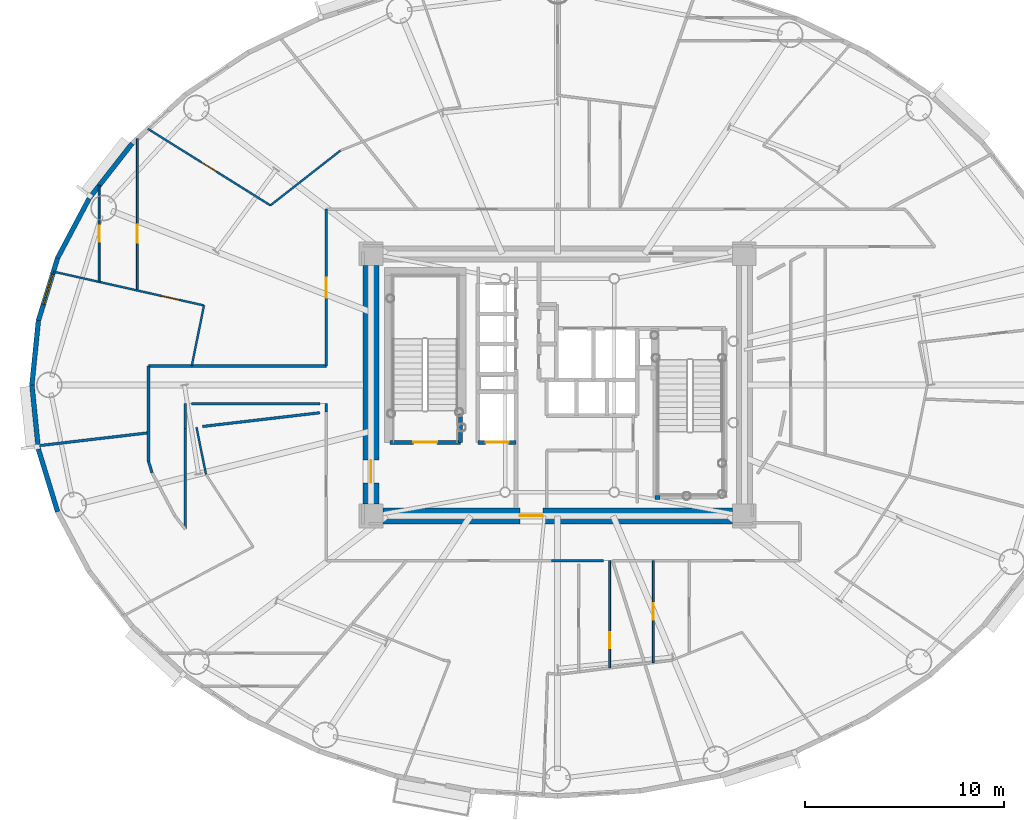
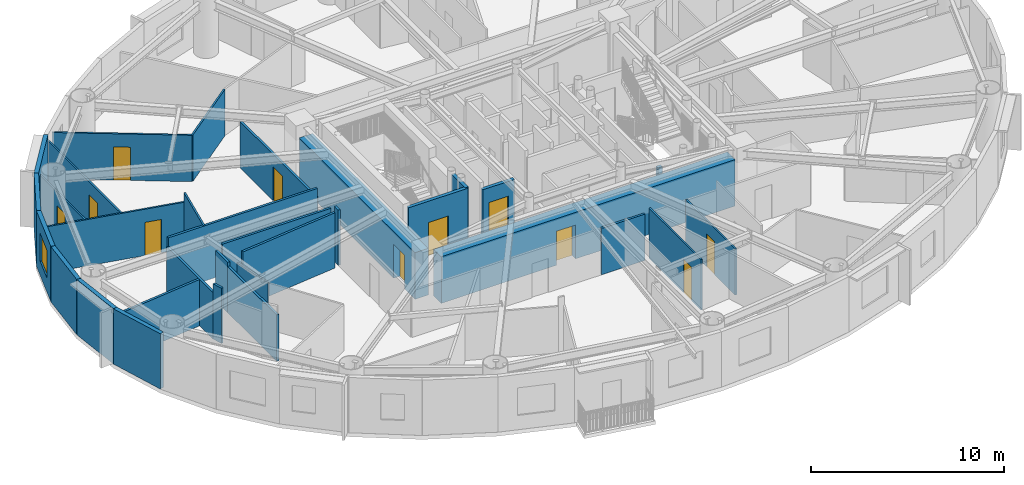
# One storey, part 9 of 19: 32 walls, 11 doors, 1 window, 12 openings.
"""IFC4 building model written with IfcOpenShell, lengths in metres."""

from ifc_helpers import new_model, si_unit, direction, frame, frame_2d, origin, origin_2d, place, context, subcontext, project, spatial, rectangle, extrude, source, transform, mapped, material, layer, layer_set, type_object, element, fill, save


model = new_model("IFC4")

# Units and contexts
model_context = context("Model", 3, precision=1e-05, world=origin(), true_north=direction((0.0, 1.0)))
body_context = subcontext(model_context, "Body", "Model", "MODEL_VIEW")
ifc_project = project(units=[si_unit("LENGTHUNIT", "METRE"), si_unit("AREAUNIT", "SQUARE_METRE"), si_unit("VOLUMEUNIT", "CUBIC_METRE"), si_unit("PLANEANGLEUNIT", "RADIAN"), si_unit("MASSUNIT", "GRAM", prefix="KILO")], contexts=[model_context])

# Site, building, storey
site_placement = place(None, origin())
site = spatial("IfcSite", under=ifc_project, at=site_placement, CompositionType="ELEMENT")
building_placement = place(site_placement, origin())
building = spatial("IfcBuilding", under=site, at=building_placement, Name="Linh Dai School and Residence Tower", CompositionType="ELEMENT")
storey_placement = place(building_placement, frame((0.0, 0.0, 174.89990234375)))
storey = spatial("IfcBuildingStorey", under=building, at=storey_placement, Name="L42", CompositionType="ELEMENT", Elevation=174.89990234375)

# Walls
ifc_material_1 = material(Name="Precast Concrete B45 (C35/45)", Category="concrete")
ifc_layer_1 = layer(ifc_material_1, 0.239990234375)
ifc_layer_set_1 = layer_set([ifc_layer_1], Name="Precast Concrete B45 (C35/45)")
wall_type_1 = type_object("IfcWallType", Name="EW-TC-240", PredefinedType="SOLIDWALL", material=ifc_layer_set_1)
wall_1_placement = place(storey_placement, frame((12.404052734375, 36.388427734375, 0.0), z_axis=(0.0, 0.0, 1.0), x_axis=(0.616287674549, 0.787521112224, 0.0)))
element("IfcWall", 1, at=wall_1_placement, inside=storey, type_object=wall_type_1, Name="L42 Terracotta Exterior Wall 17", PredefinedType="SOLIDWALL", context=body_context, shape_type="SweptSolid", body=[
    extrude(rectangle(XDim=3.517333984375, YDim=0.239990234375, at=frame_2d((1.7587890625, 0.0))), origin(), (0.0, 0.0, 1.0), 3.5),
])
wall_2_placement = place(storey_placement, frame((10.8173828125, 33.388916015625, 0.0), z_axis=(0.0, 0.0, 1.0), x_axis=(0.467586874938, 0.88394712194, 0.0)))
element("IfcWall", 2, at=wall_2_placement, inside=storey, type_object=wall_type_1, Name="L42 Terracotta Exterior Wall 18", PredefinedType="SOLIDWALL", context=body_context, shape_type="SweptSolid", body=[
    extrude(rectangle(XDim=3.393310546875, YDim=0.239990234375, at=frame_2d((1.69677734375, 0.0))), origin(), (0.0, 0.0, 1.0), 3.5),
])

# Wall, opening, window
wall_3_placement = place(storey_placement, frame((9.85009765625, 30.233642578125, 0.0), z_axis=(0.0, 0.0, 1.0), x_axis=(0.293097995113, 0.956082405058, 0.0)))
wall_3 = element("IfcWall", 3, at=wall_3_placement, inside=storey, type_object=wall_type_1, Name="L42 Terracotta Exterior Wall 19", PredefinedType="SOLIDWALL", context=body_context, shape_type="SweptSolid", body=[
    extrude(rectangle(XDim=3.30029296875, YDim=0.239990234375, at=frame_2d((1.650146484375, 0.0))), origin(), (0.0, 0.0, 1.0), 3.5),
])
opening_1_placement = place(wall_3_placement, frame((0.85009765625, 0.0, 0.89990234375)))
opening_1 = element("IfcOpeningElement", 4, at=opening_1_placement, cuts=wall_3, Name="Opening W2", PredefinedType="OPENING", context=body_context, shape_type="SweptSolid", body=[
    extrude(rectangle(XDim=1.60009765625, YDim=1.75, at=origin_2d()), frame((0.800048828125, 0.1298828125, 0.875), z_axis=(0.0, -1.0, 0.0), x_axis=(1.0, 0.0, 0.0)), (0.0, 0.0, 1.0), 0.260009765625),
])
ifc_material_2 = material(Name="Double Low-E Insulated Glazing", Category="glass")
window_type = type_object("IfcWindowType", Name="WN-RES-1600x1750", PartitioningType="DOUBLE_PANEL_VERTICAL", PredefinedType="WINDOW", material=ifc_material_2)
shared_shape_1 = source(origin(), body_context, "Body", "SweptSolid", [
    extrude(rectangle(XDim=1.60009765625, YDim=1.75, at=origin_2d()), frame((0.800048828125, 0.030029296875, 0.875), z_axis=(0.0, -1.0, 0.0), x_axis=(1.0, 0.0, 0.0)), (0.0, 0.0, 1.0), 0.06005859375),
])
window_placement = place(opening_1_placement, origin())
window = element("IfcWindow", 5, at=window_placement, inside=storey, type_object=window_type, Name="L42 Exterior Window 19.1", OverallHeight=1.75, OverallWidth=1.60009765625, PartitioningType="DOUBLE_PANEL_VERTICAL", PredefinedType="WINDOW", context=body_context, shape_type="MappedRepresentation", body=[
    mapped(shared_shape_1, transform((0.0, 0.0, 0.0), x_axis=(1.0, 0.0, 0.0), y_axis=(0.0, 1.0, 0.0), z_axis=(0.0, 0.0, 1.0), scale=1.0)),
])
fill(opening_1, window)

# Walls
for number, where, z_axis, x_axis, name in (
    (6, (9.52490234375, 27.0, 0.0), (0.0, 0.0, 1.0), (0.100061534614, 0.994981250723, 0.0), "L42 Terracotta Exterior Wall 20"),
    (7, (9.85009765625, 23.766357421875, 0.0), (0.0, 0.0, 1.0), (-0.100061534614, 0.994981250723, 0.0), "L42 Terracotta Exterior Wall 21"),
):
    element("IfcWall", number, at=place(storey_placement, frame(where, z_axis=z_axis, x_axis=x_axis)), inside=storey, type_object=wall_type_1, Name=name, PredefinedType="SOLIDWALL", context=body_context, shape_type="SweptSolid", body=[
        extrude(rectangle(XDim=3.25, YDim=0.239990234375, at=frame_2d((1.625, 0.0))), origin(), (0.0, 0.0, 1.0), 3.5),
    ])
wall_4_placement = place(storey_placement, frame((10.8173828125, 20.611083984375, 0.0), z_axis=(0.0, 0.0, 1.0), x_axis=(-0.293097995113, 0.956082405058, 0.0)))
element("IfcWall", 8, at=wall_4_placement, inside=storey, type_object=wall_type_1, Name="L42 Terracotta Exterior Wall 22", PredefinedType="SOLIDWALL", context=body_context, shape_type="SweptSolid", body=[
    extrude(rectangle(XDim=3.30029296875, YDim=0.239990234375, at=frame_2d((1.650146484375, 0.0))), origin(), (0.0, 0.0, 1.0), 3.5),
])
ifc_material_3 = material(Name="Autoclaved Aerated Concrete Blockwork", Category="masonry")
ifc_layer_2 = layer(ifc_material_3, 0.135009765625)
ifc_layer_set_2 = layer_set([ifc_layer_2], Name="Autoclaved Aerated Concrete Blockwork")
wall_type_2 = type_object("IfcWallType", Name="IW-CORR-135-EI90", PredefinedType="PARTITIONING", material=ifc_layer_set_2)
wall_5_placement = place(storey_placement, frame((9.828369140625, 23.932861328125, 0.0), z_axis=(0.0, 0.0, 1.0), x_axis=(0.993205157511, 0.116376608877, 0.0)))
element("IfcWall", 9, at=wall_5_placement, inside=storey, type_object=wall_type_2, Name="L42 Interior Partition Wall 001", PredefinedType="PARTITIONING", context=body_context, shape_type="SweptSolid", body=[
    extrude(rectangle(XDim=5.609619140625, YDim=0.135009765625, at=frame_2d((2.8046875, 0.0))), origin(), (0.0, 0.0, 1.0), 2.93505859375),
])
wall_6_placement = place(storey_placement, frame((15.39990234375, 23.14599609375, 0.0), z_axis=(0.0, 0.0, 1.0), x_axis=(0.0, 1.0, 0.0)))
element("IfcWall", 10, at=wall_6_placement, inside=storey, type_object=wall_type_2, Name="L42 Interior Partition Wall 007", PredefinedType="PARTITIONING", context=body_context, shape_type="SweptSolid", body=[
    extrude(rectangle(XDim=4.803955078125, YDim=0.135009765625, at=frame_2d((2.40185546875, 0.0))), origin(), (0.0, 0.0, 1.0), 2.93505859375),
])
wall_7_placement = place(storey_placement, frame((15.39990234375, 23.14599609375, 0.0), z_axis=(0.0, 0.0, 1.0), x_axis=(0.293335154151, -0.956009669061, 0.0)))
element("IfcWall", 11, at=wall_7_placement, inside=storey, type_object=wall_type_2, Name="L42 Interior Partition Wall 008", PredefinedType="PARTITIONING", context=body_context, shape_type="SweptSolid", body=[
    extrude(rectangle(XDim=0.59423828125, YDim=0.135009765625, at=frame_2d((0.297119140625, 0.0))), origin(), (0.0, 0.0, 1.0), 3.5),
])
wall_8_placement = place(storey_placement, frame((15.39990234375, 27.949951171875, 0.0), z_axis=(0.0, 0.0, 1.0), x_axis=(1.0, 0.0, 0.0)))
element("IfcWall", 12, at=wall_8_placement, inside=storey, type_object=wall_type_2, Name="L42 Interior Partition Wall 009", PredefinedType="PARTITIONING", context=body_context, shape_type="SweptSolid", body=[
    extrude(rectangle(XDim=8.9501953125, YDim=0.135009765625, at=frame_2d((4.47509765625, 0.0))), origin(), (0.0, 0.0, 1.0), 3.5),
])
wall_9_placement = place(storey_placement, frame((17.25, 19.734375, 0.0), z_axis=(0.0, 0.0, 1.0), x_axis=(0.0, 1.0, 0.0)))
element("IfcWall", 13, at=wall_9_placement, inside=storey, type_object=wall_type_2, Name="L42 Interior Partition Wall 013", PredefinedType="PARTITIONING", context=body_context, shape_type="SweptSolid", body=[
    extrude(rectangle(XDim=5.068359375, YDim=0.135009765625, at=frame_2d((2.5341796875, 0.0))), origin(), (0.0, 0.0, 1.0), 2.93505859375),
])

# Wall, opening, door
wall_10_placement = place(storey_placement, frame((24.35009765625, 27.949951171875, 0.0), z_axis=(0.0, 0.0, 1.0), x_axis=(0.0, 1.0, 0.0)))
wall_10 = element("IfcWall", 14, at=wall_10_placement, inside=storey, type_object=wall_type_2, Name="L42 Interior Partition Wall 023", PredefinedType="PARTITIONING", context=body_context, shape_type="SweptSolid", body=[
    extrude(rectangle(XDim=7.900146484375, YDim=0.135009765625, at=frame_2d((3.9501953125, 0.0))), origin(), (0.0, 0.0, 1.0), 2.93505859375),
])
opening_2_placement = place(wall_10_placement, frame((3.449951171875, 0.0, 0.0)))
opening_2 = element("IfcOpeningElement", 15, at=opening_2_placement, cuts=wall_10, Name="Opening D03", PredefinedType="OPENING", context=body_context, shape_type="SweptSolid", body=[
    extrude(rectangle(XDim=1.0, YDim=2.14990234375, at=origin_2d()), frame((0.5, 0.07763671875, 1.074951171875), z_axis=(0.0, -1.0, 0.0), x_axis=(1.0, 0.0, 0.0)), (0.0, 0.0, 1.0), 0.155029296875),
])
ifc_material_4 = material(Name="Fire-Rated Solid Timber Entrance Door", Category="wood")
door_type_1 = type_object("IfcDoorType", Name="DR-FLAT-1000x2150-FD60S", OperationType="NOTDEFINED", PredefinedType="DOOR", material=ifc_material_4)
shared_shape_2 = source(origin(), body_context, "Body", "SweptSolid", [
    extrude(rectangle(XDim=1.0, YDim=2.14990234375, at=origin_2d()), frame((0.5, 0.02490234375, 1.074951171875), z_axis=(0.0, -1.0, 0.0), x_axis=(1.0, 0.0, 0.0)), (0.0, 0.0, 1.0), 0.050048828125),
])
door_1_placement = place(opening_2_placement, origin())
door_1 = element("IfcDoor", 16, at=door_1_placement, inside=storey, type_object=door_type_1, Name="L42 U4203 Apartment Entrance Door", OperationType="SINGLE_SWING_LEFT", OverallHeight=2.14990234375, OverallWidth=1.0, PredefinedType="DOOR", context=body_context, shape_type="MappedRepresentation", body=[
    mapped(shared_shape_2, transform((0.0, 0.0, 0.0), x_axis=(1.0, 0.0, 0.0), y_axis=(0.0, 1.0, 0.0), z_axis=(0.0, 0.0, 1.0), scale=1.0)),
])
fill(opening_2, door_1)

# Walls
wall_11_placement = place(storey_placement, frame((17.25, 26.050048828125, 0.0), z_axis=(0.0, 0.0, 1.0), x_axis=(0.0, -1.0, 0.0)))
element("IfcWall", 17, at=wall_11_placement, inside=storey, type_object=wall_type_2, Name="L42 Interior Partition Wall 104", PredefinedType="PARTITIONING", context=body_context, shape_type="SweptSolid", body=[
    extrude(rectangle(XDim=1.237548828125, YDim=0.135009765625, at=frame_2d((0.61865234375, 0.0))), origin(), (0.0, 0.0, 1.0), 3.18505859375),
])
wall_12_placement = place(storey_placement, frame((38.305908203125, 18.14990234375, 0.0), z_axis=(0.0, 0.0, 1.0), x_axis=(-1.0, 0.0, 0.0)))
element("IfcWall", 18, at=wall_12_placement, inside=storey, type_object=wall_type_2, Name="L42 Interior Partition Wall 113", PredefinedType="PARTITIONING", context=body_context, shape_type="SweptSolid", body=[
    extrude(rectangle(XDim=2.60498046875, YDim=0.135009765625, at=frame_2d((1.302490234375, 0.0))), origin(), (0.0, 0.0, 1.0), 2.93505859375),
])
wall_13_placement = place(storey_placement, frame((24.35009765625, 25.644775390625, 0.0), z_axis=(0.0, 0.0, 1.0), x_axis=(0.0, 1.0, 0.0)))
element("IfcWall", 19, at=wall_13_placement, inside=storey, type_object=wall_type_2, Name="L42 Interior Partition Wall 114", PredefinedType="PARTITIONING", context=body_context, shape_type="SweptSolid", body=[
    extrude(rectangle(XDim=0.4052734375, YDim=0.135009765625, at=frame_2d((0.20263671875, 0.0))), origin(), (0.0, 0.0, 1.0), 3.5),
])
wall_14_placement = place(storey_placement, frame((24.04248046875, 26.050048828125, 0.0), z_axis=(0.0, 0.0, 1.0), x_axis=(-1.0, 0.0, 0.0)))
element("IfcWall", 20, at=wall_14_placement, inside=storey, type_object=wall_type_2, Name="L42 Interior Partition Wall 115", PredefinedType="PARTITIONING", context=body_context, shape_type="SweptSolid", body=[
    extrude(rectangle(XDim=6.48486328125, YDim=0.135009765625, at=frame_2d((3.242431640625, 0.0))), origin(), (0.0, 0.0, 1.0), 3.5),
])
wall_15_placement = place(storey_placement, frame((18.1201171875, 24.904541015625, 0.0), z_axis=(0.0, 0.0, 1.0), x_axis=(0.993204061109, 0.116385965632, 0.0)))
element("IfcWall", 21, at=wall_15_placement, inside=storey, type_object=wall_type_2, Name="L42 Interior Partition Wall 117", PredefinedType="PARTITIONING", context=body_context, shape_type="SweptSolid", body=[
    extrude(rectangle(XDim=5.942626953125, YDim=0.135009765625, at=frame_2d((2.97119140625, 0.0))), origin(), (0.0, 0.0, 1.0), 3.5),
])

# Wall, opening, door
ifc_material_5 = material(Name="Concrete B45 (C35/45)", Category="concrete")
ifc_layer_3 = layer(ifc_material_5, 0.199951171875)
ifc_layer_set_3 = layer_set([ifc_layer_3], Name="Concrete B45 (C35/45)")
wall_type_3 = type_object("IfcWallType", Name="IW-SHAFT-200-EI120", PredefinedType="PARTITIONING", material=ifc_layer_set_3)
wall_16_placement = place(storey_placement, frame((27.56005859375, 24.10009765625, 0.0), z_axis=(0.0, 0.0, 1.0), x_axis=(1.0, 0.0, 0.0)))
wall_16 = element("IfcWall", 22, at=wall_16_placement, inside=storey, type_object=wall_type_3, Name="L42 Interior Partition Wall 027", PredefinedType="PARTITIONING", context=body_context, shape_type="SweptSolid", body=[
    extrude(rectangle(XDim=3.5400390625, YDim=0.199951171875, at=frame_2d((1.77001953125, 0.0))), origin(), (0.0, 0.0, 1.0), 3.5),
])
opening_3_placement = place(wall_16_placement, frame((1.169921875, 0.0, 0.0)))
opening_3 = element("IfcOpeningElement", 23, at=opening_3_placement, cuts=wall_16, Name="Opening D01", PredefinedType="OPENING", context=body_context, shape_type="SweptSolid", body=[
    extrude(rectangle(XDim=1.199951171875, YDim=2.14990234375, at=origin_2d()), frame((0.60009765625, 0.10986328125, 1.074951171875), z_axis=(0.0, -1.0, 0.0), x_axis=(1.0, 0.0, 0.0)), (0.0, 0.0, 1.0), 0.219970703125),
])
ifc_material_6 = material(Name="Fire-Rated Steel Door Leaf", Category="steel")
door_type_2 = type_object("IfcDoorType", Name="DR-STAIR-1200x2150-FD90S", OperationType="NOTDEFINED", PredefinedType="DOOR", material=ifc_material_6)
shared_shape_3 = source(origin(), body_context, "Body", "SweptSolid", [
    extrude(rectangle(XDim=1.199951171875, YDim=2.14990234375, at=origin_2d()), frame((0.60009765625, 0.02490234375, 1.074951171875), z_axis=(0.0, -1.0, 0.0), x_axis=(1.0, 0.0, 0.0)), (0.0, 0.0, 1.0), 0.050048828125),
])
door_2_placement = place(opening_3_placement, origin())
door_2 = element("IfcDoor", 24, at=door_2_placement, inside=storey, type_object=door_type_2, Name="L42 Core Smokeproof Exit Stair ST1 Door", OperationType="SINGLE_SWING_RIGHT", OverallHeight=2.14990234375, OverallWidth=1.199951171875, PredefinedType="DOOR", context=body_context, shape_type="MappedRepresentation", body=[
    mapped(shared_shape_3, transform((0.0, 0.0, 0.0), x_axis=(1.0, 0.0, 0.0), y_axis=(0.0, 1.0, 0.0), z_axis=(0.0, 0.0, 1.0), scale=1.0)),
])
fill(opening_3, door_2)

# Wall
wall_17_placement = place(storey_placement, frame((31.10009765625, 24.10009765625, 0.0), z_axis=(0.0, 0.0, 1.0), x_axis=(0.0, 1.0, 0.0)))
element("IfcWall", 25, at=wall_17_placement, inside=storey, type_object=wall_type_3, Name="L42 Interior Partition Wall 032", PredefinedType="PARTITIONING", context=body_context, shape_type="SweptSolid", body=[
    extrude(rectangle(XDim=1.43994140625, YDim=0.199951171875, at=frame_2d((0.719970703125, 0.0))), origin(), (0.0, 0.0, 1.0), 3.5),
])

# Wall, opening, door
wall_18_placement = place(storey_placement, frame((32.0, 24.10009765625, 0.0), z_axis=(0.0, 0.0, 1.0), x_axis=(1.0, 0.0, 0.0)))
wall_18 = element("IfcWall", 26, at=wall_18_placement, inside=storey, type_object=wall_type_3, Name="L42 Interior Partition Wall 034", PredefinedType="PARTITIONING", context=body_context, shape_type="SweptSolid", body=[
    extrude(rectangle(XDim=1.89990234375, YDim=0.199951171875, at=frame_2d((0.949951171875, 0.0))), origin(), (0.0, 0.0, 1.0), 3.085205078125),
])
opening_4_placement = place(wall_18_placement, frame((0.375, 0.0, 0.0)))
opening_4 = element("IfcOpeningElement", 27, at=opening_4_placement, cuts=wall_18, Name="Opening LD-FF2", PredefinedType="OPENING", context=body_context, shape_type="SweptSolid", body=[
    extrude(rectangle(XDim=1.14990234375, YDim=2.14990234375, at=origin_2d()), frame((0.574951171875, 0.10986328125, 1.074951171875), z_axis=(0.0, -1.0, 0.0), x_axis=(1.0, 0.0, 0.0)), (0.0, 0.0, 1.0), 0.219970703125),
])
ifc_material_7 = material(Name="Fire-Rated Stainless Steel Firefighting Lift Door", Category="steel")
door_type_3 = type_object("IfcDoorType", Name="DR-LD-FF-1150x2150-FD120", OperationType="DOUBLE_DOOR_SLIDING", PredefinedType="USERDEFINED", material=ifc_material_7)
shared_shape_4 = source(origin(), body_context, "Body", "SweptSolid", [
    extrude(rectangle(XDim=1.14990234375, YDim=2.14990234375, at=origin_2d()), frame((0.574951171875, 0.02490234375, 1.074951171875), z_axis=(0.0, -1.0, 0.0), x_axis=(1.0, 0.0, 0.0)), (0.0, 0.0, 1.0), 0.050048828125),
])
door_3_placement = place(opening_4_placement, origin())
door_3 = element("IfcDoor", 28, at=door_3_placement, inside=storey, type_object=door_type_3, Name="L42 Lift FF2 Sliding Landing Door", ObjectType="LANDING DOOR", OperationType="DOUBLE_DOOR_SLIDING", OverallHeight=2.14990234375, OverallWidth=1.14990234375, PredefinedType="USERDEFINED", context=body_context, shape_type="MappedRepresentation", body=[
    mapped(shared_shape_4, transform((0.0, 0.0, 0.0), x_axis=(1.0, 0.0, 0.0), y_axis=(0.0, 1.0, 0.0), z_axis=(0.0, 0.0, 1.0), scale=1.0)),
])
fill(opening_4, door_3)

# Wall
wall_19_placement = place(storey_placement, frame((40.89990234375, 21.330078125, 0.0), z_axis=(0.0, 0.0, 1.0), x_axis=(1.0, 0.0, 0.0)))
element("IfcWall", 29, at=wall_19_placement, inside=storey, type_object=wall_type_3, Name="L42 Interior Partition Wall 073", PredefinedType="PARTITIONING", context=body_context, shape_type="SweptSolid", body=[
    extrude(rectangle(XDim=0.25, YDim=0.199951171875, at=frame_2d((0.125, 0.0))), origin(), (0.0, 0.0, 1.0), 3.03515625),
])

# Wall, opening, door
ifc_material_8 = material(Name="Gypsum Plasterboard Acoustic Stud Partition", Category="masonry")
ifc_layer_4 = layer(ifc_material_8, 0.10009765625)
ifc_layer_set_4 = layer_set([ifc_layer_4], Name="Gypsum Plasterboard Acoustic Stud Partition")
wall_type_4 = type_object("IfcWallType", Name="IW-UNIT-100", PredefinedType="PARTITIONING", material=ifc_layer_set_4)
wall_20_placement = place(storey_placement, frame((10.60205078125, 32.7041015625, 0.0), z_axis=(0.0, 0.0, 1.0), x_axis=(0.9756977614, -0.21912069368, 0.0)))
wall_20 = element("IfcWall", 30, at=wall_20_placement, inside=storey, type_object=wall_type_4, Name="L42 Interior Partition Wall 002", PredefinedType="PARTITIONING", context=body_context, shape_type="SweptSolid", body=[
    extrude(rectangle(XDim=7.77587890625, YDim=0.10009765625, at=frame_2d((3.887939453125, 0.0))), origin(), (0.0, 0.0, 1.0), 2.93505859375),
])
opening_5_placement = place(wall_20_placement, frame((5.5859375, 0.0, 0.0)))
opening_5 = element("IfcOpeningElement", 31, at=opening_5_placement, cuts=wall_20, Name="Opening D05", PredefinedType="OPENING", context=body_context, shape_type="SweptSolid", body=[
    extrude(rectangle(XDim=0.89990234375, YDim=2.10009765625, at=origin_2d()), frame((0.449951171875, 0.06005859375, 1.050048828125), z_axis=(0.0, -1.0, 0.0), x_axis=(1.0, 0.0, 0.0)), (0.0, 0.0, 1.0), 0.1201171875),
])
ifc_material_9 = material(Name="Engineered Timber Internal Door", Category="wood")
door_type_4 = type_object("IfcDoorType", Name="DR-INT-900x2100", OperationType="NOTDEFINED", PredefinedType="DOOR", material=ifc_material_9)
shared_shape_5 = source(origin(), body_context, "Body", "SweptSolid", [
    extrude(rectangle(XDim=0.89990234375, YDim=2.10009765625, at=origin_2d()), frame((0.449951171875, 0.02490234375, 1.050048828125), z_axis=(0.0, -1.0, 0.0), x_axis=(1.0, 0.0, 0.0)), (0.0, 0.0, 1.0), 0.050048828125),
])
door_4_placement = place(opening_5_placement, origin())
door_4 = element("IfcDoor", 32, at=door_4_placement, inside=storey, type_object=door_type_4, Name="L42 Apartment U4203 Principal Bedroom 2 Door", OperationType="SINGLE_SWING_LEFT", OverallHeight=2.10009765625, OverallWidth=0.89990234375, PredefinedType="DOOR", context=body_context, shape_type="MappedRepresentation", body=[
    mapped(shared_shape_5, transform((0.0, 0.0, 0.0), x_axis=(1.0, 0.0, 0.0), y_axis=(0.0, 1.0, 0.0), z_axis=(0.0, 0.0, 1.0), scale=1.0)),
])
fill(opening_5, door_4)

wall_21_placement = place(storey_placement, frame((12.911865234375, 32.185302734375, 0.0), z_axis=(0.0, 0.0, 1.0), x_axis=(0.0, 1.0, 0.0)))
wall_21 = element("IfcWall", 33, at=wall_21_placement, inside=storey, type_object=wall_type_4, Name="L42 Interior Partition Wall 003", PredefinedType="PARTITIONING", context=body_context, shape_type="SweptSolid", body=[
    extrude(rectangle(XDim=4.860107421875, YDim=0.10009765625, at=frame_2d((2.43017578125, 0.0))), origin(), (0.0, 0.0, 1.0), 2.93505859375),
])
opening_6_placement = place(wall_21_placement, frame((2.02001953125, 0.0, 0.0)))
opening_6 = element("IfcOpeningElement", 34, at=opening_6_placement, cuts=wall_21, Name="Opening D06", PredefinedType="OPENING", context=body_context, shape_type="SweptSolid", body=[
    extrude(rectangle(XDim=0.820068359375, YDim=2.10009765625, at=origin_2d()), frame((0.41015625, 0.06005859375, 1.050048828125), z_axis=(0.0, -1.0, 0.0), x_axis=(1.0, 0.0, 0.0)), (0.0, 0.0, 1.0), 0.1201171875),
])
ifc_material_10 = material(Name="Moisture-Resistant Timber Bathroom Door", Category="wood")
door_type_5 = type_object("IfcDoorType", Name="DR-WET-820x2100", OperationType="NOTDEFINED", PredefinedType="DOOR", material=ifc_material_10)
shared_shape_6 = source(origin(), body_context, "Body", "SweptSolid", [
    extrude(rectangle(XDim=0.820068359375, YDim=2.10009765625, at=origin_2d()), frame((0.41015625, 0.02490234375, 1.050048828125), z_axis=(0.0, -1.0, 0.0), x_axis=(1.0, 0.0, 0.0)), (0.0, 0.0, 1.0), 0.050048828125),
])
door_5_placement = place(opening_6_placement, origin())
door_5 = element("IfcDoor", 35, at=door_5_placement, inside=storey, type_object=door_type_5, Name="L42 Apartment U4203 Bathroom 1 Door", OperationType="SINGLE_SWING_LEFT", OverallHeight=2.10009765625, OverallWidth=0.820068359375, PredefinedType="DOOR", context=body_context, shape_type="MappedRepresentation", body=[
    mapped(shared_shape_6, transform((0.0, 0.0, 0.0), x_axis=(1.0, 0.0, 0.0), y_axis=(0.0, 1.0, 0.0), z_axis=(0.0, 0.0, 1.0), scale=1.0)),
])
fill(opening_6, door_5)

wall_22_placement = place(storey_placement, frame((14.832763671875, 31.75390625, 0.0), z_axis=(0.0, 0.0, 1.0), x_axis=(0.0, 1.0, 0.0)))
wall_22 = element("IfcWall", 36, at=wall_22_placement, inside=storey, type_object=wall_type_4, Name="L42 Interior Partition Wall 005", PredefinedType="PARTITIONING", context=body_context, shape_type="SweptSolid", body=[
    extrude(rectangle(XDim=7.650634765625, YDim=0.10009765625, at=frame_2d((3.8251953125, 0.0))), origin(), (0.0, 0.0, 1.0), 2.93505859375),
])
opening_7_placement = place(wall_22_placement, frame((2.398681640625, 0.0, 0.0)))
opening_7 = element("IfcOpeningElement", 37, at=opening_7_placement, cuts=wall_22, Name="Opening D05", PredefinedType="OPENING", context=body_context, shape_type="SweptSolid", body=[
    extrude(rectangle(XDim=0.89990234375, YDim=2.10009765625, at=origin_2d()), frame((0.449951171875, 0.06005859375, 1.050048828125), z_axis=(0.0, -1.0, 0.0), x_axis=(1.0, 0.0, 0.0)), (0.0, 0.0, 1.0), 0.1201171875),
])
door_6_placement = place(opening_7_placement, origin())
door_6 = element("IfcDoor", 38, at=door_6_placement, inside=storey, type_object=door_type_4, Name="L42 Apartment U4203 Kitchen Door", OperationType="SINGLE_SWING_RIGHT", OverallHeight=2.10009765625, OverallWidth=0.89990234375, PredefinedType="DOOR", context=body_context, shape_type="MappedRepresentation", body=[
    mapped(shared_shape_5, transform((0.0, 0.0, 0.0), x_axis=(1.0, 0.0, 0.0), y_axis=(0.0, 1.0, 0.0), z_axis=(0.0, 0.0, 1.0), scale=1.0)),
])
fill(opening_7, door_6)

wall_23_placement = place(storey_placement, frame((15.365966796875, 39.8935546875, 0.0), z_axis=(0.0, 0.0, 1.0), x_axis=(0.84804732756, -0.529920494242, 0.0)))
wall_23 = element("IfcWall", 39, at=wall_23_placement, inside=storey, type_object=wall_type_4, Name="L42 Interior Partition Wall 006", PredefinedType="PARTITIONING", context=body_context, shape_type="SweptSolid", body=[
    extrude(rectangle(XDim=7.273681640625, YDim=0.10009765625, at=frame_2d((3.63671875, 0.0))), origin(), (0.0, 0.0, 1.0), 2.93505859375),
])
opening_8_placement = place(wall_23_placement, frame((3.186767578125, 0.0, 0.0)))
opening_8 = element("IfcOpeningElement", 40, at=opening_8_placement, cuts=wall_23, Name="Opening D05", PredefinedType="OPENING", context=body_context, shape_type="SweptSolid", body=[
    extrude(rectangle(XDim=0.89990234375, YDim=2.10009765625, at=origin_2d()), frame((0.449951171875, 0.06005859375, 1.050048828125), z_axis=(0.0, -1.0, 0.0), x_axis=(1.0, 0.0, 0.0)), (0.0, 0.0, 1.0), 0.1201171875),
])
door_7_placement = place(opening_8_placement, origin())
door_7 = element("IfcDoor", 41, at=door_7_placement, inside=storey, type_object=door_type_4, Name="L42 Apartment U4203 Principal Bedroom 1 Door", OperationType="SINGLE_SWING_RIGHT", OverallHeight=2.10009765625, OverallWidth=0.89990234375, PredefinedType="DOOR", context=body_context, shape_type="MappedRepresentation", body=[
    mapped(shared_shape_5, transform((0.0, 0.0, 0.0), x_axis=(1.0, 0.0, 0.0), y_axis=(0.0, 1.0, 0.0), z_axis=(0.0, 0.0, 1.0), scale=1.0)),
])
fill(opening_8, door_7)

# Walls
wall_24_placement = place(storey_placement, frame((17.572265625, 27.949951171875, 0.0), z_axis=(0.0, 0.0, 1.0), x_axis=(0.19818274337, 0.980165088253, 0.0)))
element("IfcWall", 42, at=wall_24_placement, inside=storey, type_object=wall_type_4, Name="L42 Interior Partition Wall 014", PredefinedType="PARTITIONING", context=body_context, shape_type="SweptSolid", body=[
    extrude(rectangle(XDim=3.11181640625, YDim=0.10009765625, at=frame_2d((1.555908203125, 0.0))), origin(), (0.0, 0.0, 1.0), 3.5),
])
wall_25_placement = place(storey_placement, frame((17.81103515625, 24.868408203125, 0.0), z_axis=(0.0, 0.0, 1.0), x_axis=(0.198247700743, -0.980151952072, 0.0)))
element("IfcWall", 43, at=wall_25_placement, inside=storey, type_object=wall_type_4, Name="L42 Interior Partition Wall 015", PredefinedType="PARTITIONING", context=body_context, shape_type="SweptSolid", body=[
    extrude(rectangle(XDim=2.42236328125, YDim=0.10009765625, at=frame_2d((1.211181640625, 0.0))), origin(), (0.0, 0.0, 1.0), 2.93505859375),
])
wall_26_placement = place(storey_placement, frame((21.534423828125, 36.0390625, 0.0), z_axis=(0.0, 0.0, 1.0), x_axis=(0.787313734036, 0.616552580238, 0.0)))
element("IfcWall", 44, at=wall_26_placement, inside=storey, type_object=wall_type_4, Name="L42 Interior Partition Wall 019", PredefinedType="PARTITIONING", context=body_context, shape_type="SweptSolid", body=[
    extrude(rectangle(XDim=4.47216796875, YDim=0.10009765625, at=frame_2d((2.236083984375, 0.0))), origin(), (0.0, 0.0, 1.0), 2.93505859375),
])

# Wall, opening, door
wall_27_placement = place(storey_placement, frame((38.615966796875, 12.743408203125, 0.0), z_axis=(0.0, 0.0, 1.0), x_axis=(0.0, 1.0, 0.0)))
wall_27 = element("IfcWall", 45, at=wall_27_placement, inside=storey, type_object=wall_type_4, Name="L42 Interior Partition Wall 063", PredefinedType="PARTITIONING", context=body_context, shape_type="SweptSolid", body=[
    extrude(rectangle(XDim=5.406494140625, YDim=0.10009765625, at=frame_2d((2.703125, 0.0))), origin(), (0.0, 0.0, 1.0), 3.18505859375),
])
opening_9_placement = place(wall_27_placement, frame((0.9892578125, 0.0, 0.0)))
opening_9 = element("IfcOpeningElement", 46, at=opening_9_placement, cuts=wall_27, Name="Opening D06", PredefinedType="OPENING", context=body_context, shape_type="SweptSolid", body=[
    extrude(rectangle(XDim=0.820068359375, YDim=2.10009765625, at=origin_2d()), frame((0.41015625, 0.06005859375, 1.050048828125), z_axis=(0.0, -1.0, 0.0), x_axis=(1.0, 0.0, 0.0)), (0.0, 0.0, 1.0), 0.1201171875),
])
door_8_placement = place(opening_9_placement, origin())
door_8 = element("IfcDoor", 47, at=door_8_placement, inside=storey, type_object=door_type_5, Name="L42 Apartment U4205 Bathroom 1 Door", OperationType="SINGLE_SWING_RIGHT", OverallHeight=2.10009765625, OverallWidth=0.820068359375, PredefinedType="DOOR", context=body_context, shape_type="MappedRepresentation", body=[
    mapped(shared_shape_6, transform((0.0, 0.0, 0.0), x_axis=(1.0, 0.0, 0.0), y_axis=(0.0, 1.0, 0.0), z_axis=(0.0, 0.0, 1.0), scale=1.0)),
])
fill(opening_9, door_8)

wall_28_placement = place(storey_placement, frame((40.818603515625, 13.0166015625, 0.0), z_axis=(0.0, 0.0, 1.0), x_axis=(0.0, 1.0, 0.0)))
wall_28 = element("IfcWall", 48, at=wall_28_placement, inside=storey, type_object=wall_type_4, Name="L42 Interior Partition Wall 071", PredefinedType="PARTITIONING", context=body_context, shape_type="SweptSolid", body=[
    extrude(rectangle(XDim=5.13330078125, YDim=0.10009765625, at=frame_2d((2.566650390625, 0.0))), origin(), (0.0, 0.0, 1.0), 2.93505859375),
])
opening_10_placement = place(wall_28_placement, frame((2.15673828125, 0.0, 0.0)))
opening_10 = element("IfcOpeningElement", 49, at=opening_10_placement, cuts=wall_28, Name="Opening D06", PredefinedType="OPENING", context=body_context, shape_type="SweptSolid", body=[
    extrude(rectangle(XDim=0.820068359375, YDim=2.10009765625, at=origin_2d()), frame((0.41015625, 0.06005859375, 1.050048828125), z_axis=(0.0, -1.0, 0.0), x_axis=(1.0, 0.0, 0.0)), (0.0, 0.0, 1.0), 0.1201171875),
])
door_9_placement = place(opening_10_placement, origin())
door_9 = element("IfcDoor", 50, at=door_9_placement, inside=storey, type_object=door_type_5, Name="L42 Apartment U4206 Bathroom 1 Door", OperationType="SINGLE_SWING_LEFT", OverallHeight=2.10009765625, OverallWidth=0.820068359375, PredefinedType="DOOR", context=body_context, shape_type="MappedRepresentation", body=[
    mapped(shared_shape_6, transform((0.0, 0.0, 0.0), x_axis=(1.0, 0.0, 0.0), y_axis=(0.0, 1.0, 0.0), z_axis=(0.0, 0.0, 1.0), scale=1.0)),
])
fill(opening_10, door_9)

ifc_material_11 = material(Name="Concrete B60 (C50/60)", Category="concrete")
ifc_layer_5 = layer(ifc_material_11, 0.800048828125)
ifc_layer_set_5 = layer_set([ifc_layer_5], Name="Concrete B60 (C50/60)")
wall_type_5 = type_object("IfcWallType", Name="WL-CORE800", PredefinedType="SHEAR", material=ifc_layer_set_5)
wall_29_placement = place(storey_placement, frame((44.800048828125, 20.39990234375, 0.0), z_axis=(0.0, 0.0, 1.0), x_axis=(-1.0, 0.0, 0.0)))
wall_29 = element("IfcWall", 51, at=wall_29_placement, inside=storey, type_object=wall_type_5, Name="L42 Central Core Shear Wall S", PredefinedType="SHEAR", context=body_context, shape_type="SweptSolid", body=[
    extrude(rectangle(XDim=17.60009765625, YDim=0.800048828125, at=frame_2d((8.800048828125, 0.0))), origin(), (0.0, 0.0, 1.0), 2.9501953125),
])
opening_11_placement = place(wall_29_placement, frame((9.550048828125, 0.0, 0.0)))
opening_11 = element("IfcOpeningElement", 52, at=opening_11_placement, cuts=wall_29, Name="Opening D02", PredefinedType="OPENING", context=body_context, shape_type="SweptSolid", body=[
    extrude(rectangle(XDim=1.14990234375, YDim=2.14990234375, at=origin_2d()), frame((0.574951171875, 0.41015625, 1.074951171875), z_axis=(0.0, -1.0, 0.0), x_axis=(1.0, 0.0, 0.0)), (0.0, 0.0, 1.0), 0.820068359375),
])
ifc_material_12 = material(Name="Fire-Rated Glazed Steel Lobby Door", Category="steel")
door_type_6 = type_object("IfcDoorType", Name="DR-LOBBY-1150x2150-FD90S", OperationType="NOTDEFINED", PredefinedType="DOOR", material=ifc_material_12)
shared_shape_7 = source(origin(), body_context, "Body", "SweptSolid", [
    extrude(rectangle(XDim=1.14990234375, YDim=2.14990234375, at=origin_2d()), frame((0.574951171875, 0.02490234375, 1.074951171875), z_axis=(0.0, -1.0, 0.0), x_axis=(1.0, 0.0, 0.0)), (0.0, 0.0, 1.0), 0.050048828125),
])
door_10_placement = place(opening_11_placement, origin())
door_10 = element("IfcDoor", 53, at=door_10_placement, inside=storey, type_object=door_type_6, Name="L42 Passenger Foyer Access Door", OperationType="SINGLE_SWING_LEFT", OverallHeight=2.14990234375, OverallWidth=1.14990234375, PredefinedType="DOOR", context=body_context, shape_type="MappedRepresentation", body=[
    mapped(shared_shape_7, transform((0.0, 0.0, 0.0), x_axis=(1.0, 0.0, 0.0), y_axis=(0.0, 1.0, 0.0), z_axis=(0.0, 0.0, 1.0), scale=1.0)),
])
fill(opening_11, door_10)

wall_30_placement = place(storey_placement, frame((26.60009765625, 21.0, 0.0), z_axis=(0.0, 0.0, 1.0), x_axis=(0.0, 1.0, 0.0)))
wall_30 = element("IfcWall", 54, at=wall_30_placement, inside=storey, type_object=wall_type_5, Name="L42 Central Core Shear Wall W", PredefinedType="SHEAR", context=body_context, shape_type="SweptSolid", body=[
    extrude(rectangle(XDim=12.0, YDim=0.800048828125, at=frame_2d((6.0, 0.0))), origin(), (0.0, 0.0, 1.0), 2.9501953125),
])
opening_12_placement = place(wall_30_placement, frame((1.061279296875, 0.0, 0.0)))
opening_12 = element("IfcOpeningElement", 55, at=opening_12_placement, cuts=wall_30, Name="Opening D02", PredefinedType="OPENING", context=body_context, shape_type="SweptSolid", body=[
    extrude(rectangle(XDim=1.14990234375, YDim=2.14990234375, at=origin_2d()), frame((0.574951171875, 0.41015625, 1.074951171875), z_axis=(0.0, -1.0, 0.0), x_axis=(1.0, 0.0, 0.0)), (0.0, 0.0, 1.0), 0.820068359375),
])
door_11_placement = place(opening_12_placement, origin())
door_11 = element("IfcDoor", 56, at=door_11_placement, inside=storey, type_object=door_type_6, Name="L42 Firefighting Lobby Door", OperationType="SINGLE_SWING_LEFT", OverallHeight=2.14990234375, OverallWidth=1.14990234375, PredefinedType="DOOR", context=body_context, shape_type="MappedRepresentation", body=[
    mapped(shared_shape_7, transform((0.0, 0.0, 0.0), x_axis=(1.0, 0.0, 0.0), y_axis=(0.0, 1.0, 0.0), z_axis=(0.0, 0.0, 1.0), scale=1.0)),
])
fill(opening_12, door_11)

save(model, "model.ifc")
